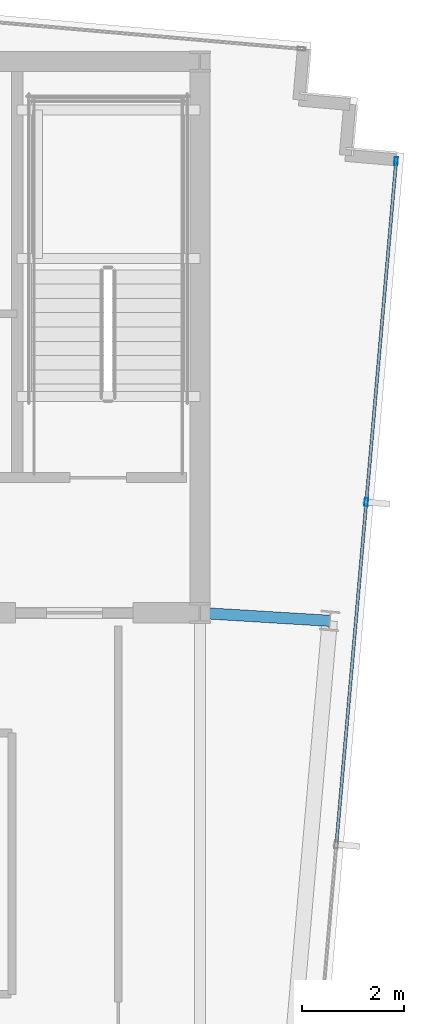
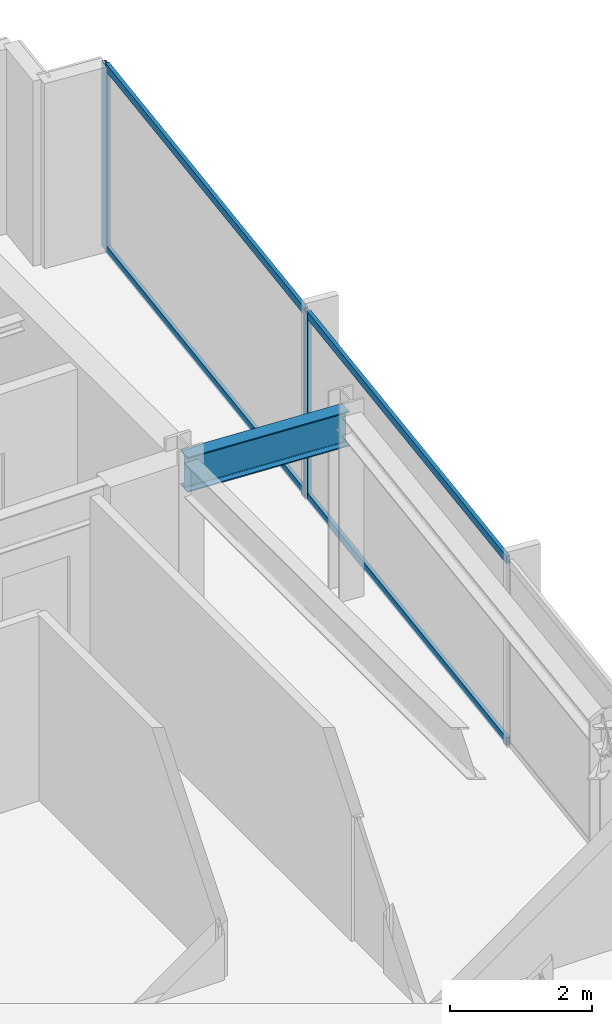
# One storey, part 21 of 32: 6 members, 1 beam, 1 element without a shape of its own.
"""IFC4 building model written with IfcOpenShell, lengths in metres."""

from ifc_helpers import new_model, si_unit, direction, frame, origin, origin_2d, place, context, subcontext, project, spatial, hollow_rectangle, i_section, extrude, material, material_profile, profile_set, type_object, element, aggregate, save


model = new_model("IFC4")

# Units and contexts
model_context = context("Model", 3, precision=1e-05, world=origin(), true_north=direction((0.0, 1.0)))
body_context = subcontext(model_context, "Body", "Model", "MODEL_VIEW")
ifc_project = project(units=[si_unit("LENGTHUNIT", "METRE"), si_unit("AREAUNIT", "SQUARE_METRE"), si_unit("VOLUMEUNIT", "CUBIC_METRE"), si_unit("PLANEANGLEUNIT", "RADIAN"), si_unit("MASSUNIT", "GRAM", prefix="KILO")], contexts=[model_context])

# Site, building, storey
site_placement = place(None, origin())
site = spatial("IfcSite", under=ifc_project, at=site_placement, CompositionType="ELEMENT")
building_placement = place(site_placement, origin())
building = spatial("IfcBuilding", under=site, at=building_placement, Name="Yelkora Congress Tower", CompositionType="ELEMENT")
storey_placement = place(building_placement, frame((0.0, 0.0, 259.10009765625)))
storey = spatial("IfcBuildingStorey", under=building, at=storey_placement, Name="L72", CompositionType="ELEMENT", Elevation=259.10009765625)

# Beam
ifc_material_1 = material(Name="Steel S355J2", Category="steel")
ifc_material_profile_1 = material_profile(ifc_material_1, i_section(OverallWidth=0.219970703125, OverallDepth=0.60009765625, WebThickness=0.011962890625, FlangeThickness=0.01904296875, FilletRadius=0.02392578125, at=origin_2d()), Name="IPE 600")
ifc_profile_set_1 = profile_set([ifc_material_profile_1], Name="Steel S355J2")
beam_type = type_object("IfcBeamType", Name="BM-GIRD-IPE600", PredefinedType="BEAM", material=ifc_profile_set_1)
beam_placement = place(storey_placement, frame((56.302001953125, 35.24560546875, 2.8798828125), z_axis=(-0.99816287892, 0.060587681471, 0.0), x_axis=(-0.060587681471, -0.99816287892, 0.0)))
element("IfcBeam", 1, at=beam_placement, inside=storey, type_object=beam_type, Name="L72 Primary Frame Girder E02", PredefinedType="BEAM", context=body_context, shape_type="SweptSolid", body=[
    extrude(i_section(OverallWidth=0.219970703125, OverallDepth=0.60009765625, WebThickness=0.011962890625, FlangeThickness=0.01904296875, FilletRadius=0.02392578125, at=origin_2d()), origin(), (0.0, 0.0, 1.0), 2.546630859375),
])

# Curtain wall, members
ifc_material_2 = material(Name="Anodised aluminium and insulated glass", Category="aluminium")
curtain_wall_type = type_object("IfcCurtainWallType", Name="CW-SYS-B5", PredefinedType="NOTDEFINED", material=ifc_material_2)
curtain_wall_placement = place(storey_placement, origin())
curtain_wall = element("IfcCurtainWall", 2, at=curtain_wall_placement, inside=storey, type_object=curtain_wall_type, Name="L72 Unitised Curtain Wall 15", PredefinedType="NOTDEFINED")
ifc_material_3 = material(Name="Anodised aluminium 6063-T6", Category="aluminium")
ifc_material_profile_2 = material_profile(ifc_material_3, hollow_rectangle(XDim=0.06494140625, YDim=0.159912109375, WallThickness=0.00390625, at=origin_2d()), Name="ALU 65x160x4")
ifc_profile_set_2 = profile_set([ifc_material_profile_2], Name="Anodised aluminium 6063-T6")
member_type_1 = type_object("IfcMemberType", Name="MEM-ML-B5", PredefinedType="MULLION", material=ifc_profile_set_2)
member_1_placement = place(storey_placement, frame((57.601318359375, 44.243896484375, 0.0), z_axis=(0.0, 0.0, 1.0), x_axis=(0.996194463398, -0.087158425264, 0.0)))
member_1 = element("IfcMember", 3, at=member_1_placement, type_object=member_type_1, Name="CW-B5 mullion 1", PredefinedType="MULLION", context=body_context, shape_type="SweptSolid", body=[
    extrude(hollow_rectangle(XDim=0.06494140625, YDim=0.159912109375, WallThickness=0.00390625, at=origin_2d()), origin(), (0.0, 0.0, 1.0), 3.179931640625),
])
member_2_placement = place(storey_placement, frame((57.017578125, 37.572021484375, 0.0), z_axis=(0.0, 0.0, 1.0), x_axis=(0.996194463398, -0.087158425264, 0.0)))
member_2 = element("IfcMember", 4, at=member_2_placement, type_object=member_type_1, Name="CW-B5 mullion 2", PredefinedType="MULLION", context=body_context, shape_type="SweptSolid", body=[
    extrude(hollow_rectangle(XDim=0.06494140625, YDim=0.159912109375, WallThickness=0.00390625, at=origin_2d()), origin(), (0.0, 0.0, 1.0), 3.179931640625),
])
ifc_material_profile_3 = material_profile(ifc_material_3, hollow_rectangle(XDim=0.06005859375, YDim=0.1298828125, WallThickness=0.00390625, at=origin_2d()), Name="ALU 60x130x4")
ifc_profile_set_3 = profile_set([ifc_material_profile_3], Name="Anodised aluminium 6063-T6")
member_type_2 = type_object("IfcMemberType", Name="MEM-TR-B5", PredefinedType="USERDEFINED", material=ifc_profile_set_3)
member_3_placement = place(storey_placement, frame((57.598388671875, 44.21142578125, 0.02978515625), z_axis=(-0.08716649365, -0.996193757451, 0.0), x_axis=(0.996193757451, -0.08716649365, 0.0)))
member_3 = element("IfcMember", 5, at=member_3_placement, type_object=member_type_2, Name="CW-B5 transom 1.1", ObjectType="TRANSOM", PredefinedType="USERDEFINED", context=body_context, shape_type="SweptSolid", body=[
    extrude(hollow_rectangle(XDim=0.06005859375, YDim=0.1298828125, WallThickness=0.00390625, at=origin_2d()), origin(), (0.0, 0.0, 1.0), 6.63232421875),
])
member_4_placement = place(storey_placement, frame((57.598388671875, 44.21142578125, 3.14990234375), z_axis=(-0.08716649365, -0.996193757451, 0.0), x_axis=(0.996193757451, -0.08716649365, 0.0)))
member_4 = element("IfcMember", 6, at=member_4_placement, type_object=member_type_2, Name="CW-B5 transom 1.2", ObjectType="TRANSOM", PredefinedType="USERDEFINED", context=body_context, shape_type="SweptSolid", body=[
    extrude(hollow_rectangle(XDim=0.06005859375, YDim=0.1298828125, WallThickness=0.00390625, at=origin_2d()), origin(), (0.0, 0.0, 1.0), 6.63232421875),
])
member_5_placement = place(storey_placement, frame((57.0146484375, 37.53955078125, 0.02978515625), z_axis=(-0.087143321513, -0.996195784731, 0.0), x_axis=(0.996195784731, -0.087143321513, 0.0)))
member_5 = element("IfcMember", 7, at=member_5_placement, type_object=member_type_2, Name="CW-B5 transom 2.1", ObjectType="TRANSOM", PredefinedType="USERDEFINED", context=body_context, shape_type="SweptSolid", body=[
    extrude(hollow_rectangle(XDim=0.06005859375, YDim=0.1298828125, WallThickness=0.00390625, at=origin_2d()), origin(), (0.0, 0.0, 1.0), 6.6650390625),
])
member_6_placement = place(storey_placement, frame((57.0146484375, 37.53955078125, 3.14990234375), z_axis=(-0.087143321513, -0.996195784731, 0.0), x_axis=(0.996195784731, -0.087143321513, 0.0)))
member_6 = element("IfcMember", 8, at=member_6_placement, type_object=member_type_2, Name="CW-B5 transom 2.2", ObjectType="TRANSOM", PredefinedType="USERDEFINED", context=body_context, shape_type="SweptSolid", body=[
    extrude(hollow_rectangle(XDim=0.06005859375, YDim=0.1298828125, WallThickness=0.00390625, at=origin_2d()), origin(), (0.0, 0.0, 1.0), 6.6650390625),
])
aggregate(curtain_wall, [member_1, member_2, member_3, member_4, member_5, member_6])

save(model, "model.ifc")
